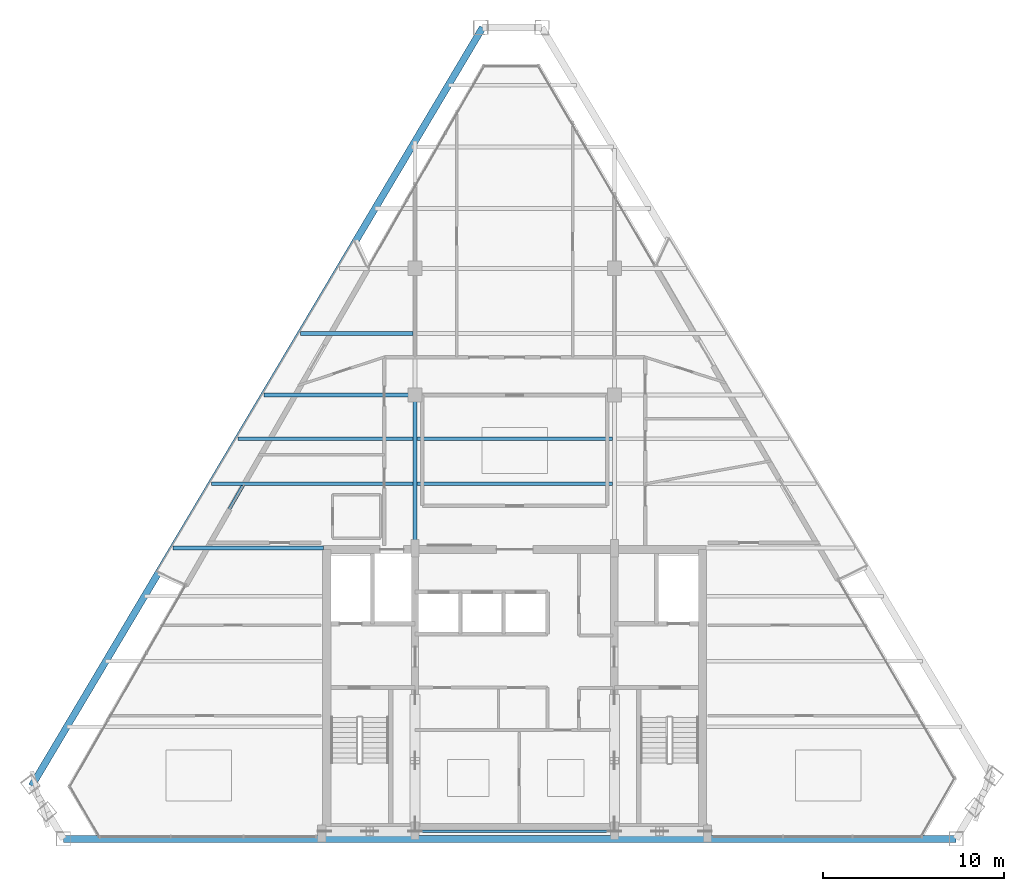
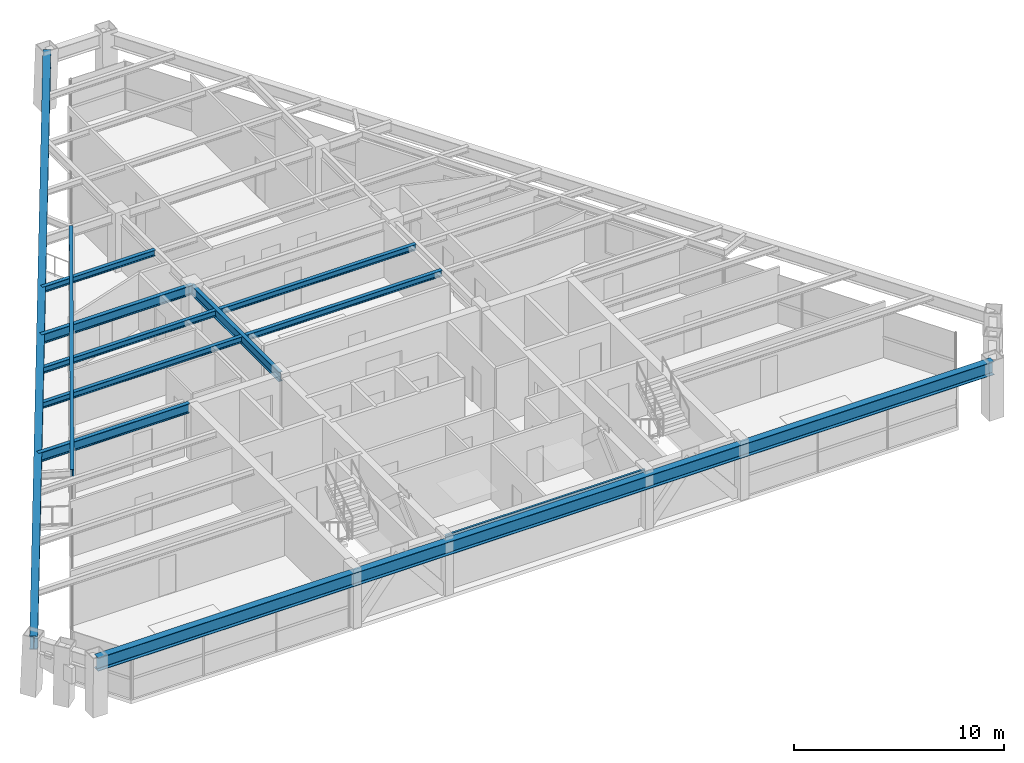
# One storey, part 3 of 13: 12 beams.
"""IFC4 building model written with IfcOpenShell, lengths in metres."""

from ifc_helpers import new_model, si_unit, direction, frame, origin, origin_2d, place, context, subcontext, project, spatial, i_section, extrude, source, transform, mapped, material, material_profile, profile_set, type_object, type_shapes, element, save


model = new_model("IFC4")

# Units and contexts
model_context = context("Model", 3, precision=1e-05, world=origin(), true_north=direction((0.0, 1.0)))
body_context = subcontext(model_context, "Body", "Model", "MODEL_VIEW")
ifc_project = project(units=[si_unit("LENGTHUNIT", "METRE"), si_unit("AREAUNIT", "SQUARE_METRE"), si_unit("VOLUMEUNIT", "CUBIC_METRE"), si_unit("PLANEANGLEUNIT", "RADIAN"), si_unit("MASSUNIT", "GRAM", prefix="KILO")], contexts=[model_context])

# Site, building, storey
site_placement = place(None, origin())
site = spatial("IfcSite", under=ifc_project, at=site_placement, CompositionType="ELEMENT")
building_placement = place(site_placement, origin())
building = spatial("IfcBuilding", under=site, at=building_placement, Name="Varnakhor Terracotta Tower", CompositionType="ELEMENT")
storey_placement = place(building_placement, frame((0.0, 0.0, 286.800048828125)))
storey = spatial("IfcBuildingStorey", under=building, at=storey_placement, Name="L75", CompositionType="ELEMENT", Elevation=286.800048828125)

# Beams
ifc_material = material(Name="Steel S355", Category="steel")
ifc_material_profile_1 = material_profile(ifc_material, i_section(OverallWidth=0.1201171875, OverallDepth=0.239990234375, WebThickness=0.006103515625, FlangeThickness=0.009765625, FilletRadius=0.01806640625, at=origin_2d()), Name="IPE240")
ifc_profile_set_1 = profile_set([ifc_material_profile_1], Name="Steel S355")
beam_type_1 = type_object("IfcBeamType", Name="LNT-IPE240", PredefinedType="LINTEL", material=ifc_profile_set_1)
shared_shape_1 = source(origin(), body_context, "Body", "SweptSolid", [
    extrude(i_section(OverallWidth=0.1201171875, OverallDepth=0.239990234375, WebThickness=0.006103515625, FlangeThickness=0.009765625, FilletRadius=0.01806640625, at=origin_2d()), origin(), (0.0, 0.0, 1.0), 11.0),
])
type_shapes(beam_type_1, [shared_shape_1])
beam_1_placement = place(storey_placement, frame((-5.5, 0.419921875, 3.119873046875), z_axis=(1.0, 0.0, 0.0), x_axis=(0.0, 1.0, 0.0)))
element("IfcBeam", 1, at=beam_1_placement, inside=storey, type_object=beam_type_1, Name="L75 Core South Coupling Lintel", PredefinedType="LINTEL", context=body_context, shape_type="MappedRepresentation", body=[
    mapped(shared_shape_1, transform((0.0, 0.0, 0.0), scale=1.0)),
])
ifc_material_profile_2 = material_profile(ifc_material, i_section(OverallWidth=0.214111328125, OverallDepth=0.549072265625, WebThickness=0.014892578125, FlangeThickness=0.02392578125, FilletRadius=0.01806640625, at=origin_2d()), Name="W21X93")
ifc_profile_set_2 = profile_set([ifc_material_profile_2], Name="Steel S355")
beam_type_2 = type_object("IfcBeamType", Name="BM-W21X93", PredefinedType="BEAM", material=ifc_profile_set_2)
shared_shape_2 = source(origin(), body_context, "Body", "SweptSolid", [
    extrude(i_section(OverallWidth=0.214111328125, OverallDepth=0.549072265625, WebThickness=0.014892578125, FlangeThickness=0.02392578125, FilletRadius=0.01806640625, at=origin_2d()), origin(), (0.0, 0.0, 1.0), 8.449951171875),
])
type_shapes(beam_type_2, [shared_shape_2])
beam_2_placement = place(storey_placement, frame((-5.5, 16.050048828125, 2.96533203125), z_axis=(0.0, 1.0, 0.0), x_axis=(-1.0, 0.0, 0.0)))
element("IfcBeam", 2, at=beam_2_placement, inside=storey, type_object=beam_type_2, Name="L75 Primary Girder NS1-W", PredefinedType="BEAM", context=body_context, shape_type="MappedRepresentation", body=[
    mapped(shared_shape_2, transform((0.0, 0.0, 0.0), scale=1.0)),
])
ifc_material_profile_3 = material_profile(ifc_material, i_section(OverallWidth=0.202880859375, OverallDepth=0.346923828125, WebThickness=0.0078125, FlangeThickness=0.013427734375, FilletRadius=0.01806640625, at=origin_2d()), Name="W14X43")
ifc_profile_set_3 = profile_set([ifc_material_profile_3], Name="Steel S355")
beam_type_3 = type_object("IfcBeamType", Name="JST-W14X43", PredefinedType="JOIST", material=ifc_profile_set_3)
shared_shape_3 = source(origin(), body_context, "Body", "SweptSolid", [
    extrude(i_section(OverallWidth=0.202880859375, OverallDepth=0.346923828125, WebThickness=0.0078125, FlangeThickness=0.013427734375, FilletRadius=0.01806640625, at=origin_2d()), origin(), (0.0, 0.0, 1.0), 10.7939453125),
])
for number, where, z_axis, x_axis, name in (
    (3, (-5.39697265625, 19.60009765625, 3.06640625), (1.0, 0.0, 0.0), (0.0, 1.0, 0.0), "L75 Composite Floor Joist 4-2"),
    (4, (-5.39697265625, 22.10009765625, 3.06640625), (1.0, 0.0, 0.0), (0.0, 1.0, 0.0), "L75 Composite Floor Joist 5-2"),
):
    element("IfcBeam", number, at=place(storey_placement, frame(where, z_axis=z_axis, x_axis=x_axis)), inside=storey, type_object=beam_type_3, Name=name, PredefinedType="JOIST", context=body_context, shape_type="MappedRepresentation", body=[
        mapped(shared_shape_3, transform((0.0, 0.0, 0.0), scale=1.0)),
    ])
ifc_material_profile_4 = material_profile(ifc_material, i_section(OverallWidth=0.381103515625, OverallDepth=0.77294921875, WebThickness=0.01708984375, FlangeThickness=0.027099609375, FilletRadius=0.01806640625, at=origin_2d()), Name="W30X173")
ifc_profile_set_4 = profile_set([ifc_material_profile_4], Name="Steel S355")
beam_type_4 = type_object("IfcBeamType", Name="BM-W30X173", PredefinedType="BEAM", material=ifc_profile_set_4)
shared_shape_4 = source(origin(), body_context, "Body", "SweptSolid", [
    extrude(i_section(OverallWidth=0.381103515625, OverallDepth=0.77294921875, WebThickness=0.01708984375, FlangeThickness=0.027099609375, FilletRadius=0.01806640625, at=origin_2d()), origin(), (0.0, 0.0, 1.0), 49.271484375),
])
beam_3_placement = place(storey_placement, frame((-24.90771484375, 0.0, 2.853515625), z_axis=(1.0, 0.0, 0.0), x_axis=(0.0, 1.0, 0.0)))
element("IfcBeam", 5, at=beam_3_placement, inside=storey, type_object=beam_type_4, Name="L75 Perimeter Spandrel 1", PredefinedType="BEAM", context=body_context, shape_type="MappedRepresentation", body=[
    mapped(shared_shape_4, transform((0.0, 0.0, 0.0), scale=1.0)),
])
shared_shape_5 = source(origin(), body_context, "Body", "SweptSolid", [
    extrude(i_section(OverallWidth=0.381103515625, OverallDepth=0.77294921875, WebThickness=0.01708984375, FlangeThickness=0.027099609375, FilletRadius=0.01806640625, at=origin_2d()), origin(), (0.0, 0.0, 1.0), 48.710693359375),
])
beam_4_placement = place(storey_placement, frame((-1.769287109375, 44.79248046875, 2.853515625), z_axis=(-0.511114523177, -0.85951262015, 0.0), x_axis=(0.85951262015, -0.511114523177, 0.0)))
element("IfcBeam", 6, at=beam_4_placement, inside=storey, type_object=beam_type_4, Name="L75 Perimeter Spandrel 6", PredefinedType="BEAM", context=body_context, shape_type="MappedRepresentation", body=[
    mapped(shared_shape_5, transform((0.0, 0.0, 0.0), scale=1.0)),
])
ifc_material_profile_5 = material_profile(ifc_material, i_section(OverallWidth=0.179931640625, OverallDepth=0.39990234375, WebThickness=0.008544921875, FlangeThickness=0.013427734375, FilletRadius=0.01806640625, at=origin_2d()), Name="IPE400")
ifc_profile_set_5 = profile_set([ifc_material_profile_5], Name="Steel S355")
beam_type_5 = type_object("IfcBeamType", Name="JST-IPE400", PredefinedType="JOIST", material=ifc_profile_set_5)
shared_shape_6 = source(origin(), body_context, "Body", "SweptSolid", [
    extrude(i_section(OverallWidth=0.179931640625, OverallDepth=0.39990234375, WebThickness=0.008544921875, FlangeThickness=0.013427734375, FilletRadius=0.01806640625, at=origin_2d()), origin(), (0.0, 0.0, 1.0), 20.2822265625),
])
beam_5_placement = place(storey_placement, frame((-8.07177734375, 31.572998046875, 3.0400390625), z_axis=(-0.498036842529, -0.867155870351, 0.0), x_axis=(0.867155870351, -0.498036842529, 0.0)))
element("IfcBeam", 7, at=beam_5_placement, inside=storey, type_object=beam_type_5, Name="L75 Loggia Edge Beam 2", PredefinedType="JOIST", context=body_context, shape_type="MappedRepresentation", body=[
    mapped(shared_shape_6, transform((0.0, 0.0, 0.0), scale=1.0)),
])
shared_shape_7 = source(origin(), body_context, "Body", "SweptSolid", [
    extrude(i_section(OverallWidth=0.214111328125, OverallDepth=0.549072265625, WebThickness=0.014892578125, FlangeThickness=0.02392578125, FilletRadius=0.01806640625, at=origin_2d()), origin(), (0.0, 0.0, 1.0), 8.31103515625),
])
beam_6_placement = place(storey_placement, frame((-18.861083984375, 16.050048828125, 2.96533203125), z_axis=(1.0, 0.0, 0.0), x_axis=(0.0, 1.0, 0.0)))
element("IfcBeam", 8, at=beam_6_placement, inside=storey, type_object=beam_type_2, Name="L75 Wing Girder W", PredefinedType="BEAM", context=body_context, shape_type="MappedRepresentation", body=[
    mapped(shared_shape_7, transform((0.0, 0.0, 0.0), scale=1.0)),
])
shared_shape_8 = source(origin(), body_context, "Body", "SweptSolid", [
    extrude(i_section(OverallWidth=0.214111328125, OverallDepth=0.549072265625, WebThickness=0.014892578125, FlangeThickness=0.02392578125, FilletRadius=0.01806640625, at=origin_2d()), origin(), (0.0, 0.0, 1.0), 8.336181640625),
])
beam_7_placement = place(storey_placement, frame((-13.836181640625, 24.5, 2.96533203125), z_axis=(1.0, 0.0, 0.0), x_axis=(0.0, 1.0, 0.0)))
element("IfcBeam", 9, at=beam_7_placement, inside=storey, type_object=beam_type_2, Name="L75 Primary Girder EW2-1", PredefinedType="BEAM", context=body_context, shape_type="MappedRepresentation", body=[
    mapped(shared_shape_8, transform((0.0, 0.0, 0.0), scale=1.0)),
])
shared_shape_9 = source(origin(), body_context, "Body", "SweptSolid", [
    extrude(i_section(OverallWidth=0.202880859375, OverallDepth=0.346923828125, WebThickness=0.0078125, FlangeThickness=0.013427734375, FilletRadius=0.01806640625, at=origin_2d()), origin(), (0.0, 0.0, 1.0), 11.147216796875),
])
beam_8_placement = place(storey_placement, frame((-16.750244140625, 19.60009765625, 3.06640625), z_axis=(1.0, 0.0, 0.0), x_axis=(0.0, 1.0, 0.0)))
element("IfcBeam", 10, at=beam_8_placement, inside=storey, type_object=beam_type_3, Name="L75 Composite Floor Joist 4-1", PredefinedType="JOIST", context=body_context, shape_type="MappedRepresentation", body=[
    mapped(shared_shape_9, transform((0.0, 0.0, 0.0), scale=1.0)),
])
shared_shape_10 = source(origin(), body_context, "Body", "SweptSolid", [
    extrude(i_section(OverallWidth=0.202880859375, OverallDepth=0.346923828125, WebThickness=0.0078125, FlangeThickness=0.013427734375, FilletRadius=0.01806640625, at=origin_2d()), origin(), (0.0, 0.0, 1.0), 9.660400390625),
])
beam_9_placement = place(storey_placement, frame((-15.263427734375, 22.10009765625, 3.06640625), z_axis=(1.0, 0.0, 0.0), x_axis=(0.0, 1.0, 0.0)))
element("IfcBeam", 11, at=beam_9_placement, inside=storey, type_object=beam_type_3, Name="L75 Composite Floor Joist 5-1", PredefinedType="JOIST", context=body_context, shape_type="MappedRepresentation", body=[
    mapped(shared_shape_10, transform((0.0, 0.0, 0.0), scale=1.0)),
])
shared_shape_11 = source(origin(), body_context, "Body", "SweptSolid", [
    extrude(i_section(OverallWidth=0.202880859375, OverallDepth=0.346923828125, WebThickness=0.0078125, FlangeThickness=0.013427734375, FilletRadius=0.01806640625, at=origin_2d()), origin(), (0.0, 0.0, 1.0), 6.21142578125),
])
beam_10_placement = place(storey_placement, frame((-11.814453125, 27.89990234375, 3.06640625), z_axis=(1.0, 0.0, 0.0), x_axis=(0.0, 1.0, 0.0)))
element("IfcBeam", 12, at=beam_10_placement, inside=storey, type_object=beam_type_3, Name="L75 Composite Floor Joist 6-1", PredefinedType="JOIST", context=body_context, shape_type="MappedRepresentation", body=[
    mapped(shared_shape_11, transform((0.0, 0.0, 0.0), scale=1.0)),
])

save(model, "model.ifc")
